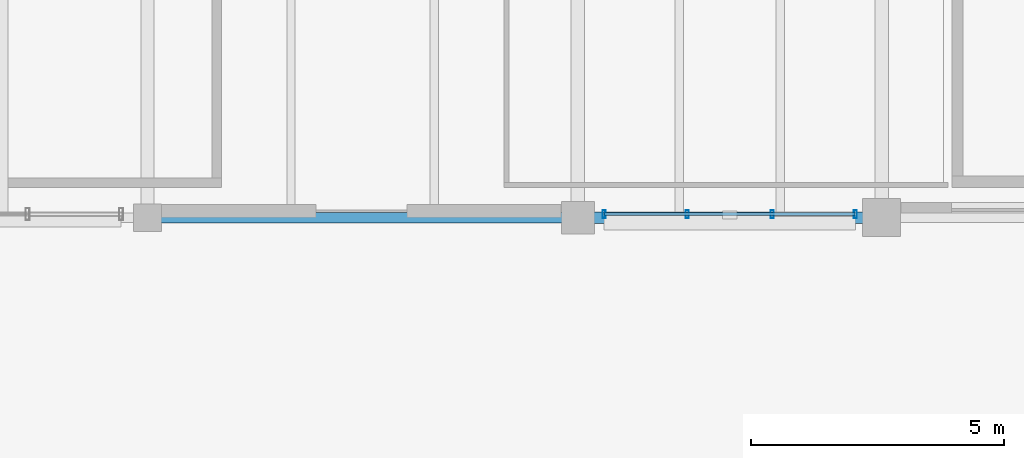
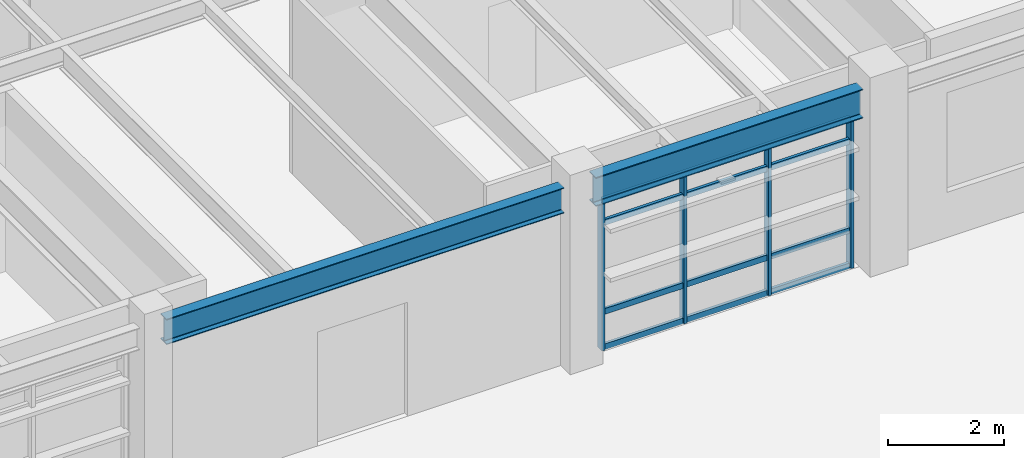
# One storey, part 33 of 56: 8 members, 2 beams, 1 element without a shape of its own.
"""IFC4 building model written with IfcOpenShell, lengths in metres."""

from ifc_helpers import new_model, si_unit, direction, frame, origin, origin_2d, place, context, subcontext, project, spatial, hollow_rectangle, i_section, extrude, material, material_profile, profile_set, type_object, element, aggregate, save


model = new_model("IFC4")

# Units and contexts
model_context = context("Model", 3, precision=1e-05, world=origin(), true_north=direction((0.0, 1.0)))
body_context = subcontext(model_context, "Body", "Model", "MODEL_VIEW")
ifc_project = project(units=[si_unit("LENGTHUNIT", "METRE"), si_unit("AREAUNIT", "SQUARE_METRE"), si_unit("VOLUMEUNIT", "CUBIC_METRE"), si_unit("PLANEANGLEUNIT", "RADIAN"), si_unit("MASSUNIT", "GRAM", prefix="KILO"), si_unit("THERMODYNAMICTEMPERATUREUNIT", "KELVIN"), si_unit("POWERUNIT", "WATT")], contexts=[model_context])

# Site, building, storey
site_placement = place(None, origin())
site = spatial("IfcSite", under=ifc_project, at=site_placement, CompositionType="ELEMENT")
building_placement = place(site_placement, origin())
building = spatial("IfcBuilding", under=site, at=building_placement, Name="Tepalcoro Natatorium and Aquatics Centre", CompositionType="ELEMENT")
storey_placement = place(building_placement, frame((0.0, 0.0, 14.800048828125)))
storey = spatial("IfcBuildingStorey", under=building, at=storey_placement, Name="L03", CompositionType="ELEMENT", Elevation=14.800048828125)

# Curtain wall, members
ifc_material_1 = material(Name="Bronze-Anodised Extruded Aluminium Alloy EN AW-6063 T6", Category="aluminium")
curtain_wall_type = type_object("IfcCurtainWallType", Name="CW_LEAN_T1_EW", PredefinedType="USERDEFINED", material=ifc_material_1)
curtain_wall_placement = place(storey_placement, origin())
curtain_wall = element("IfcCurtainWall", 1, at=curtain_wall_placement, inside=storey, type_object=curtain_wall_type, Name="V5 L03 S Unitised Curtain Wall Bay 7", ObjectType="FACETED SOLAR GLAZING", PredefinedType="USERDEFINED")
ifc_material_profile_1 = material_profile(ifc_material_1, hollow_rectangle(XDim=0.06005859375, YDim=0.159912109375, WallThickness=0.00390625, at=origin_2d()), Name="AL60X160X4")
ifc_profile_set_1 = profile_set([ifc_material_profile_1], Name="Bronze-Anodised Extruded Aluminium Alloy EN AW-6063 T6")
member_type_1 = type_object("IfcMemberType", Name="CW_MUL_60x160", PredefinedType="MULLION", material=ifc_profile_set_1)
member_1_placement = place(storey_placement, frame((159.52001953125, 94.0712890625, 0.02001953125), z_axis=(0.0, 0.0, 1.0), x_axis=(1.0, 0.0, 0.0)))
member_1 = element("IfcMember", 2, at=member_1_placement, type_object=member_type_1, Name="CW_LEAN_T1_EW Curtain Wall Mullion", PredefinedType="MULLION", context=body_context, shape_type="SweptSolid", body=[
    extrude(hollow_rectangle(XDim=0.06005859375, YDim=0.159912109375, WallThickness=0.00390625, at=origin_2d()), origin(), (0.0, 0.0, 1.0), 3.137939453125),
])
member_2_placement = place(storey_placement, frame((161.159912109375, 94.0712890625, 0.02001953125), z_axis=(0.0, 0.0, 1.0), x_axis=(1.0, 0.0, 0.0)))
member_2 = element("IfcMember", 3, at=member_2_placement, type_object=member_type_1, Name="CW_LEAN_T1_EW Curtain Wall Mullion", PredefinedType="MULLION", context=body_context, shape_type="SweptSolid", body=[
    extrude(hollow_rectangle(XDim=0.06005859375, YDim=0.159912109375, WallThickness=0.00390625, at=origin_2d()), origin(), (0.0, 0.0, 1.0), 3.137939453125),
])
member_3_placement = place(storey_placement, frame((162.840087890625, 94.0712890625, 0.02001953125), z_axis=(0.0, 0.0, 1.0), x_axis=(1.0, 0.0, 0.0)))
member_3 = element("IfcMember", 4, at=member_3_placement, type_object=member_type_1, Name="CW_LEAN_T1_EW Curtain Wall Mullion", PredefinedType="MULLION", context=body_context, shape_type="SweptSolid", body=[
    extrude(hollow_rectangle(XDim=0.06005859375, YDim=0.159912109375, WallThickness=0.00390625, at=origin_2d()), origin(), (0.0, 0.0, 1.0), 3.137939453125),
])
member_4_placement = place(storey_placement, frame((164.47998046875, 94.0712890625, 0.02001953125), z_axis=(0.0, 0.0, 1.0), x_axis=(1.0, 0.0, 0.0)))
member_4 = element("IfcMember", 5, at=member_4_placement, type_object=member_type_1, Name="CW_LEAN_T1_EW Curtain Wall Mullion", PredefinedType="MULLION", context=body_context, shape_type="SweptSolid", body=[
    extrude(hollow_rectangle(XDim=0.06005859375, YDim=0.159912109375, WallThickness=0.00390625, at=origin_2d()), origin(), (0.0, 0.0, 1.0), 3.137939453125),
])
ifc_material_profile_2 = material_profile(ifc_material_1, hollow_rectangle(XDim=0.06005859375, YDim=0.1201171875, WallThickness=0.00390625, at=origin_2d()), Name="AL60X120X4")
ifc_profile_set_2 = profile_set([ifc_material_profile_2], Name="Bronze-Anodised Extruded Aluminium Alloy EN AW-6063 T6")
member_type_2 = type_object("IfcMemberType", Name="CW_TRN_60x120", PredefinedType="USERDEFINED", material=ifc_profile_set_2)
member_5_placement = place(storey_placement, frame((159.530029296875, 94.0712890625, 0.050048828125), z_axis=(1.0, 0.0, 0.0), x_axis=(0.0, 1.0, 0.0)))
member_5 = element("IfcMember", 6, at=member_5_placement, type_object=member_type_2, Name="CW_LEAN_T1_EW Curtain Wall Transom", ObjectType="TRANSOM", PredefinedType="USERDEFINED", context=body_context, shape_type="SweptSolid", body=[
    extrude(hollow_rectangle(XDim=0.06005859375, YDim=0.1201171875, WallThickness=0.00390625, at=origin_2d()), origin(), (0.0, 0.0, 1.0), 4.93994140625),
])
member_6_placement = place(storey_placement, frame((159.530029296875, 94.0712890625, 0.79443359375), z_axis=(1.0, 0.0, 0.0), x_axis=(0.0, 1.0, 0.0)))
member_6 = element("IfcMember", 7, at=member_6_placement, type_object=member_type_2, Name="CW_LEAN_T1_EW Curtain Wall Transom", ObjectType="TRANSOM", PredefinedType="USERDEFINED", context=body_context, shape_type="SweptSolid", body=[
    extrude(hollow_rectangle(XDim=0.06005859375, YDim=0.1201171875, WallThickness=0.00390625, at=origin_2d()), origin(), (0.0, 0.0, 1.0), 4.93994140625),
])
member_7_placement = place(storey_placement, frame((159.530029296875, 94.0712890625, 2.66943359375), z_axis=(1.0, 0.0, 0.0), x_axis=(0.0, 1.0, 0.0)))
member_7 = element("IfcMember", 8, at=member_7_placement, type_object=member_type_2, Name="CW_LEAN_T1_EW Curtain Wall Transom", ObjectType="TRANSOM", PredefinedType="USERDEFINED", context=body_context, shape_type="SweptSolid", body=[
    extrude(hollow_rectangle(XDim=0.06005859375, YDim=0.1201171875, WallThickness=0.00390625, at=origin_2d()), origin(), (0.0, 0.0, 1.0), 4.93994140625),
])
member_8_placement = place(storey_placement, frame((159.530029296875, 94.0712890625, 3.1279296875), z_axis=(1.0, 0.0, 0.0), x_axis=(0.0, 1.0, 0.0)))
member_8 = element("IfcMember", 9, at=member_8_placement, type_object=member_type_2, Name="CW_LEAN_T1_EW Curtain Wall Transom", ObjectType="TRANSOM", PredefinedType="USERDEFINED", context=body_context, shape_type="SweptSolid", body=[
    extrude(hollow_rectangle(XDim=0.06005859375, YDim=0.1201171875, WallThickness=0.00390625, at=origin_2d()), origin(), (0.0, 0.0, 1.0), 4.93994140625),
])
aggregate(curtain_wall, [member_1, member_2, member_3, member_4, member_5, member_6, member_7, member_8])

# Beams
ifc_material_2 = material(Name="Steel ASTM A992 Grade 50 (Fy 345 MPa)", Category="steel")
ifc_material_profile_3 = material_profile(ifc_material_2, i_section(OverallWidth=0.2099609375, OverallDepth=0.535888671875, WebThickness=0.010986328125, FlangeThickness=0.01708984375, FilletRadius=0.013916015625, at=origin_2d()), Name="W21X68")
ifc_profile_set_3 = profile_set([ifc_material_profile_3], Name="Steel ASTM A992 Grade 50 (Fy 345 MPa)")
beam_type_1 = type_object("IfcBeamType", Name="SP_W21x68", PredefinedType="SPANDREL", material=ifc_profile_set_3)
beam_1_placement = place(storey_placement, frame((150.760009765625, 94.0, 3.536865234375), z_axis=(1.0, 0.0, 0.0), x_axis=(0.0, 1.0, 0.0)))
element("IfcBeam", 10, at=beam_1_placement, inside=storey, type_object=beam_type_1, Name="V5 L03 Grid Girder X", PredefinedType="SPANDREL", context=body_context, shape_type="SweptSolid", body=[
    extrude(i_section(OverallWidth=0.2099609375, OverallDepth=0.535888671875, WebThickness=0.010986328125, FlangeThickness=0.01708984375, FilletRadius=0.013916015625, at=origin_2d()), origin(), (0.0, 0.0, 1.0), 7.929931640625),
])
ifc_material_profile_4 = material_profile(ifc_material_2, i_section(OverallWidth=0.22900390625, OverallDepth=0.612060546875, WebThickness=0.011962890625, FlangeThickness=0.02001953125, FilletRadius=0.013916015625, at=origin_2d()), Name="W24X84")
ifc_profile_set_4 = profile_set([ifc_material_profile_4], Name="Steel ASTM A992 Grade 50 (Fy 345 MPa)")
beam_type_2 = type_object("IfcBeamType", Name="SP_W24x84", PredefinedType="SPANDREL", material=ifc_profile_set_4)
beam_2_placement = place(storey_placement, frame((159.31005859375, 94.0, 3.4990234375), z_axis=(1.0, 0.0, 0.0), x_axis=(0.0, 1.0, 0.0)))
element("IfcBeam", 11, at=beam_2_placement, inside=storey, type_object=beam_type_2, Name="V5 L03 Grid Girder X", PredefinedType="SPANDREL", context=body_context, shape_type="SweptSolid", body=[
    extrude(i_section(OverallWidth=0.22900390625, OverallDepth=0.612060546875, WebThickness=0.011962890625, FlangeThickness=0.02001953125, FilletRadius=0.013916015625, at=origin_2d()), origin(), (0.0, 0.0, 1.0), 5.329833984375),
])

save(model, "model.ifc")
